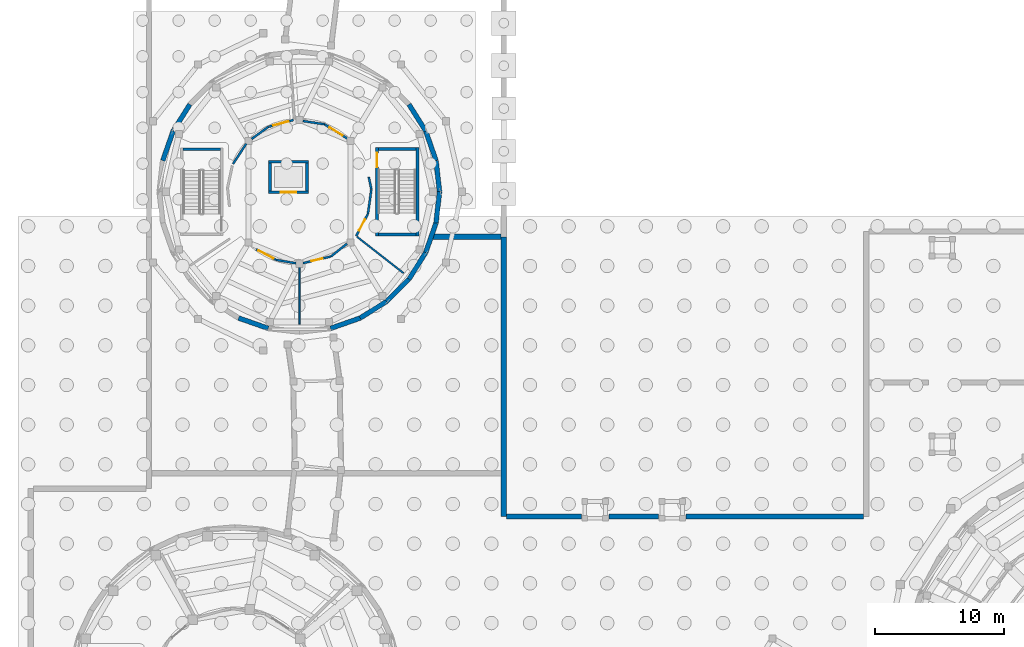
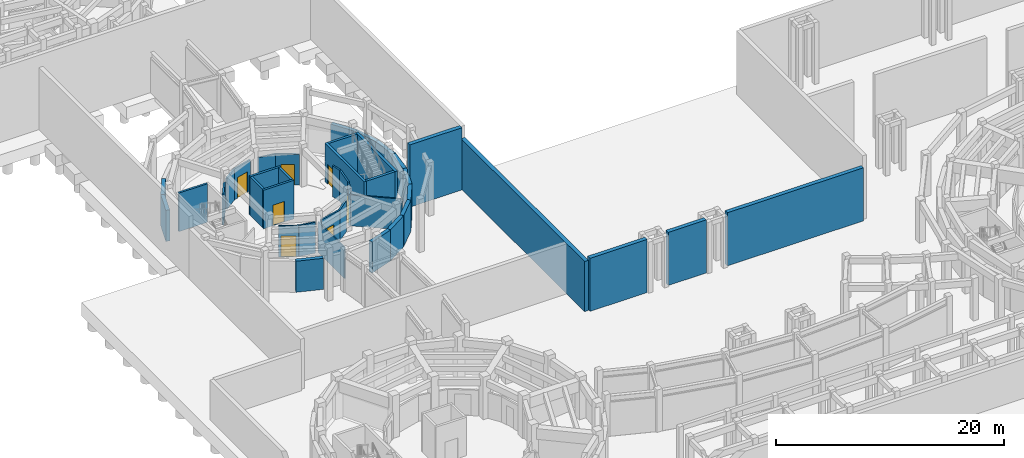
# One storey, part 38 of 57: 40 walls, 7 doors, 7 openings.
"""IFC4 building model written with IfcOpenShell, lengths in metres."""

from ifc_helpers import new_model, si_unit, direction, frame, frame_2d, origin, place, context, subcontext, project, spatial, rectangle, extrude, material, layer, layer_set, type_object, element, fill, save


model = new_model("IFC4")

# Units and contexts
model_context = context("Model", 3, precision=1e-05, world=origin(), true_north=direction((0.0, 1.0)))
body_context = subcontext(model_context, "Body", "Model", "MODEL_VIEW")
ifc_project = project(units=[si_unit("LENGTHUNIT", "METRE"), si_unit("AREAUNIT", "SQUARE_METRE"), si_unit("VOLUMEUNIT", "CUBIC_METRE"), si_unit("PLANEANGLEUNIT", "RADIAN"), si_unit("MASSUNIT", "GRAM", prefix="KILO")], contexts=[model_context])

# Site, building, storey
site_placement = place(None, origin())
site = spatial("IfcSite", under=ifc_project, at=site_placement, CompositionType="ELEMENT")
building_placement = place(site_placement, origin())
building = spatial("IfcBuilding", under=site, at=building_placement, Name="Aldenvaro Health Centre", CompositionType="ELEMENT")
storey_placement = place(building_placement, frame((0.0, 0.0, -4.550048828125)))
storey = spatial("IfcBuildingStorey", under=building, at=storey_placement, Name="B1", CompositionType="ELEMENT", Elevation=-4.550048828125)

# Wall, opening, door
ifc_material_1 = material(Name="Gypsum Stud Acoustic Assembly")
ifc_layer_1 = layer(ifc_material_1, 0.1650390625, Name="Gypsum Stud Acoustic Assembly")
ifc_layer_set_1 = layer_set([ifc_layer_1], Name="Gypsum Stud Acoustic Assembly")
wall_type_1 = type_object("IfcWallType", Name="WL-COR-165", PredefinedType="PARTITIONING", material=ifc_layer_set_1)
wall_1_placement = place(storey_placement, frame((27.238037109375, 61.6298828125, 0.0), z_axis=(0.0, 0.0, 1.0), x_axis=(-0.848030663633, 0.529947161081, 0.0)))
wall_1 = element("IfcWall", 1, at=wall_1_placement, inside=storey, type_object=wall_type_1, Name="D3 B1 corridor wall 01.1", PredefinedType="PARTITIONING", context=body_context, shape_type="SweptSolid", body=[
    extrude(rectangle(XDim=2.119140625, YDim=0.1650390625, at=frame_2d((1.0595703125, 0.0))), origin(), (0.0, 0.0, 1.0), 3.31005859375),
])
opening_1_placement = place(wall_1_placement, frame((0.468994140625, 0.0, 0.0)))
opening_1 = element("IfcOpeningElement", 2, at=opening_1_placement, cuts=wall_1, Name="Opening PD-01", PredefinedType="OPENING", context=body_context, shape_type="SweptSolid", body=[
    extrude(rectangle(XDim=1.179931640625, YDim=2.199951171875, at=frame_2d((0.58984375, 1.10009765625))), frame((0.0, 0.092529296875, 0.0), z_axis=(0.0, -1.0, 0.0), x_axis=(1.0, 0.0, 0.0)), (0.0, 0.0, 1.0), 0.18505859375),
])
ifc_material_2 = material(Name="Fire-Rated Louvred Plant Door")
door_type_1 = type_object("IfcDoorType", Name="DR-PLT-01", OperationType="NOTDEFINED", PredefinedType="DOOR", material=ifc_material_2)
door_1_placement = place(opening_1_placement, origin())
door_1 = element("IfcDoor", 3, at=door_1_placement, inside=storey, type_object=door_type_1, Name="Hydrotherapy Filtration and Heat Pump Plant Door", OperationType="SINGLE_SWING_RIGHT", OverallHeight=2.199951171875, OverallWidth=1.179931640625, PredefinedType="DOOR", context=body_context, shape_type="SweptSolid", body=[
    extrude(rectangle(XDim=1.179931640625, YDim=2.199951171875, at=frame_2d((0.58984375, 1.10009765625))), frame((0.0, 0.02490234375, 0.0), z_axis=(0.0, -1.0, 0.0), x_axis=(1.0, 0.0, 0.0)), (0.0, 0.0, 1.0), 0.050048828125),
])
fill(opening_1, door_1)

# Wall
wall_2_placement = place(storey_placement, frame((25.44091796875, 62.7529296875, 0.0), z_axis=(0.0, 0.0, 1.0), x_axis=(-0.988808298797, 0.149191649331, 0.0)))
element("IfcWall", 4, at=wall_2_placement, inside=storey, type_object=wall_type_1, Name="D3 B1 corridor wall 01.2", PredefinedType="PARTITIONING", context=body_context, shape_type="SweptSolid", body=[
    extrude(rectangle(XDim=1.697021484375, YDim=0.1650390625, at=frame_2d((0.8486328125, 0.0))), origin(), (0.0, 0.0, 1.0), 3.31005859375),
])

# Wall, opening, door
wall_3_placement = place(storey_placement, frame((23.027099609375, 63.080078125, 0.0), z_axis=(0.0, 0.0, 1.0), x_axis=(-0.964919932979, -0.262544325667, 0.0)))
wall_3 = element("IfcWall", 5, at=wall_3_placement, inside=storey, type_object=wall_type_1, Name="D3 B1 corridor wall 02.1", PredefinedType="PARTITIONING", context=body_context, shape_type="SweptSolid", body=[
    extrude(rectangle(XDim=2.018798828125, YDim=0.1650390625, at=frame_2d((1.00927734375, 0.0))), origin(), (0.0, 0.0, 1.0), 3.31005859375),
])
opening_2_placement = place(wall_3_placement, frame((0.388916015625, 0.0, 0.0)))
opening_2 = element("IfcOpeningElement", 6, at=opening_2_placement, cuts=wall_3, Name="Opening D-28", PredefinedType="OPENING", context=body_context, shape_type="SweptSolid", body=[
    extrude(rectangle(XDim=1.239990234375, YDim=2.219970703125, at=frame_2d((0.6201171875, 1.10986328125))), frame((0.0, 0.092529296875, 0.0), z_axis=(0.0, -1.0, 0.0), x_axis=(1.0, 0.0, 0.0)), (0.0, 0.0, 1.0), 0.18505859375),
])
ifc_material_3 = material(Name="Exam Suite Timber Door", Category="wood")
door_type_2 = type_object("IfcDoorType", Name="DR-CLN-28", OperationType="NOTDEFINED", PredefinedType="DOOR", material=ifc_material_3)
door_2_placement = place(opening_2_placement, origin())
door_2 = element("IfcDoor", 7, at=door_2_placement, inside=storey, type_object=door_type_2, Name="Rehabilitation Splint and Mobility Workshop Door", OperationType="SINGLE_SWING_LEFT", OverallHeight=2.219970703125, OverallWidth=1.239990234375, PredefinedType="DOOR", context=body_context, shape_type="SweptSolid", body=[
    extrude(rectangle(XDim=1.239990234375, YDim=2.219970703125, at=frame_2d((0.6201171875, 1.10986328125))), frame((0.0, 0.02490234375, 0.0), z_axis=(0.0, -1.0, 0.0), x_axis=(1.0, 0.0, 0.0)), (0.0, 0.0, 1.0), 0.050048828125),
])
fill(opening_2, door_2)

# Walls
wall_4_placement = place(storey_placement, frame((21.0791015625, 62.550048828125, 0.0), z_axis=(0.0, 0.0, 1.0), x_axis=(-0.808860869398, -0.588000079895, 0.0)))
element("IfcWall", 8, at=wall_4_placement, inside=storey, type_object=wall_type_1, Name="D3 B1 corridor wall 02.2", PredefinedType="PARTITIONING", context=body_context, shape_type="SweptSolid", body=[
    extrude(rectangle(XDim=1.607177734375, YDim=0.1650390625, at=frame_2d((0.8037109375, 0.0))), origin(), (0.0, 0.0, 1.0), 3.31005859375),
])
wall_5_placement = place(storey_placement, frame((19.365966796875, 61.240966796875, 0.0), z_axis=(0.0, 0.0, 1.0), x_axis=(-0.548365930053, -0.836238486771, 0.0)))
element("IfcWall", 9, at=wall_5_placement, inside=storey, type_object=wall_type_1, Name="D3 B1 corridor wall 02.3", PredefinedType="PARTITIONING", context=body_context, shape_type="SweptSolid", body=[
    extrude(rectangle(XDim=1.87255859375, YDim=0.1650390625, at=frame_2d((0.936279296875, 0.0))), origin(), (0.0, 0.0, 1.0), 3.31005859375),
])

# Wall, opening, door
wall_6_placement = place(storey_placement, frame((20.1259765625, 53.031005859375, 0.0), z_axis=(0.0, 0.0, 1.0), x_axis=(0.882916409472, -0.469530205508, 0.0)))
wall_6 = element("IfcWall", 10, at=wall_6_placement, inside=storey, type_object=wall_type_1, Name="D3 B1 corridor wall 04.1", PredefinedType="PARTITIONING", context=body_context, shape_type="SweptSolid", body=[
    extrude(rectangle(XDim=1.76123046875, YDim=0.1650390625, at=frame_2d((0.880615234375, 0.0))), origin(), (0.0, 0.0, 1.0), 3.31005859375),
])
opening_3_placement = place(wall_6_placement, frame((0.220947265625, 0.0, 0.0)))
opening_3 = element("IfcOpeningElement", 11, at=opening_3_placement, cuts=wall_6, Name="Opening PD-02", PredefinedType="OPENING", context=body_context, shape_type="SweptSolid", body=[
    extrude(rectangle(XDim=1.320068359375, YDim=2.239990234375, at=frame_2d((0.66015625, 1.1201171875))), frame((0.0, 0.092529296875, 0.0), z_axis=(0.0, -1.0, 0.0), x_axis=(1.0, 0.0, 0.0)), (0.0, 0.0, 1.0), 0.18505859375),
])
ifc_material_4 = material(Name="Double Leaf Plant Equipment Door")
door_type_3 = type_object("IfcDoorType", Name="DR-PLT-02", OperationType="NOTDEFINED", PredefinedType="DOOR", material=ifc_material_4)
door_3_placement = place(opening_3_placement, origin())
door_3 = element("IfcDoor", 12, at=door_3_placement, inside=storey, type_object=door_type_3, Name="Geothermal Manifold Room Door", OperationType="SINGLE_SWING_RIGHT", OverallHeight=2.239990234375, OverallWidth=1.320068359375, PredefinedType="DOOR", context=body_context, shape_type="SweptSolid", body=[
    extrude(rectangle(XDim=1.320068359375, YDim=2.239990234375, at=frame_2d((0.66015625, 1.1201171875))), frame((0.0, 0.02490234375, 0.0), z_axis=(0.0, -1.0, 0.0), x_axis=(1.0, 0.0, 0.0)), (0.0, 0.0, 1.0), 0.050048828125),
])
fill(opening_3, door_3)

# Wall
wall_7_placement = place(storey_placement, frame((21.680908203125, 52.2041015625, 0.0), z_axis=(0.0, 0.0, 1.0), x_axis=(0.985099289187, -0.171986599601, 0.0)))
element("IfcWall", 13, at=wall_7_placement, inside=storey, type_object=wall_type_1, Name="D3 B1 corridor wall 04.2", PredefinedType="PARTITIONING", context=body_context, shape_type="SweptSolid", body=[
    extrude(rectangle(XDim=1.564208984375, YDim=0.1650390625, at=frame_2d((0.7822265625, 0.0))), origin(), (0.0, 0.0, 1.0), 3.31005859375),
])

# Wall, opening, door
wall_8_placement = place(storey_placement, frame((23.77587890625, 51.947021484375, 0.0), z_axis=(0.0, 0.0, 1.0), x_axis=(0.972689167377, 0.232111575903, 0.0)))
wall_8 = element("IfcWall", 14, at=wall_8_placement, inside=storey, type_object=wall_type_1, Name="D3 B1 corridor wall 05.1", PredefinedType="PARTITIONING", context=body_context, shape_type="SweptSolid", body=[
    extrude(rectangle(XDim=2.240478515625, YDim=0.1650390625, at=frame_2d((1.1201171875, 0.0))), origin(), (0.0, 0.0, 1.0), 3.31005859375),
])
opening_4_placement = place(wall_8_placement, frame((0.679931640625, 0.0, 0.0)))
opening_4 = element("IfcOpeningElement", 15, at=opening_4_placement, cuts=wall_8, Name="Opening UD-01", PredefinedType="OPENING", context=body_context, shape_type="SweptSolid", body=[
    extrude(rectangle(XDim=0.8798828125, YDim=2.10009765625, at=frame_2d((0.43994140625, 1.050048828125))), frame((0.0, 0.092529296875, 0.0), z_axis=(0.0, -1.0, 0.0), x_axis=(1.0, 0.0, 0.0)), (0.0, 0.0, 1.0), 0.18505859375),
])
ifc_material_5 = material(Name="Clean Supply Store Door")
door_type_4 = type_object("IfcDoorType", Name="DR-STR-01", OperationType="NOTDEFINED", PredefinedType="DOOR", material=ifc_material_5)
door_4_placement = place(opening_4_placement, origin())
door_4 = element("IfcDoor", 16, at=door_4_placement, inside=storey, type_object=door_type_4, Name="Environmental Services Store Door", OperationType="SINGLE_SWING_LEFT", OverallHeight=2.10009765625, OverallWidth=0.8798828125, PredefinedType="DOOR", context=body_context, shape_type="SweptSolid", body=[
    extrude(rectangle(XDim=0.8798828125, YDim=2.10009765625, at=frame_2d((0.43994140625, 1.050048828125))), frame((0.0, 0.02490234375, 0.0), z_axis=(0.0, -1.0, 0.0), x_axis=(1.0, 0.0, 0.0)), (0.0, 0.0, 1.0), 0.050048828125),
])
fill(opening_4, door_4)

# Wall
wall_9_placement = place(storey_placement, frame((25.955078125, 52.467041015625, 0.0), z_axis=(0.0, 0.0, 1.0), x_axis=(0.781844808281, 0.623473091451, 0.0)))
element("IfcWall", 17, at=wall_9_placement, inside=storey, type_object=wall_type_1, Name="D3 B1 corridor wall 05.2", PredefinedType="PARTITIONING", context=body_context, shape_type="SweptSolid", body=[
    extrude(rectangle(XDim=1.584716796875, YDim=0.1650390625, at=frame_2d((0.79248046875, 0.0))), origin(), (0.0, 0.0, 1.0), 3.31005859375),
])

# Wall, opening, door
wall_10_placement = place(storey_placement, frame((27.91796875, 54.05810546875, 0.0), z_axis=(0.0, 0.0, 1.0), x_axis=(0.46852941816, 0.883447895644, 0.0)))
wall_10 = element("IfcWall", 18, at=wall_10_placement, inside=storey, type_object=wall_type_1, Name="D3 B1 corridor wall 06.1", PredefinedType="PARTITIONING", context=body_context, shape_type="SweptSolid", body=[
    extrude(rectangle(XDim=1.93994140625, YDim=0.1650390625, at=frame_2d((0.969970703125, 0.0))), origin(), (0.0, 0.0, 1.0), 3.31005859375),
])
opening_5_placement = place(wall_10_placement, frame((0.47998046875, 0.0, 0.0)))
opening_5 = element("IfcOpeningElement", 19, at=opening_5_placement, cuts=wall_10, Name="Opening WD-03", PredefinedType="OPENING", context=body_context, shape_type="SweptSolid", body=[
    extrude(rectangle(XDim=0.97998046875, YDim=2.10009765625, at=frame_2d((0.489990234375, 1.050048828125))), frame((0.0, 0.092529296875, 0.0), z_axis=(0.0, -1.0, 0.0), x_axis=(1.0, 0.0, 0.0)), (0.0, 0.0, 1.0), 0.18505859375),
])
ifc_material_6 = material(Name="Bariatric Accessible Sanitary Door")
door_type_5 = type_object("IfcDoorType", Name="DR-WC-03", OperationType="NOTDEFINED", PredefinedType="DOOR", material=ifc_material_6)
door_5_placement = place(opening_5_placement, origin())
door_5 = element("IfcDoor", 20, at=door_5_placement, inside=storey, type_object=door_type_5, Name="Staff Shower and WC Door", OperationType="SINGLE_SWING_RIGHT", OverallHeight=2.10009765625, OverallWidth=0.97998046875, PredefinedType="DOOR", context=body_context, shape_type="SweptSolid", body=[
    extrude(rectangle(XDim=0.97998046875, YDim=2.10009765625, at=frame_2d((0.489990234375, 1.050048828125))), frame((0.0, 0.02490234375, 0.0), z_axis=(0.0, -1.0, 0.0), x_axis=(1.0, 0.0, 0.0)), (0.0, 0.0, 1.0), 0.050048828125),
])
fill(opening_5, door_5)

# Walls
wall_11_placement = place(storey_placement, frame((28.826904296875, 55.77197265625, 0.0), z_axis=(0.0, 0.0, 1.0), x_axis=(0.139183488293, 0.990266608842, 0.0)))
element("IfcWall", 21, at=wall_11_placement, inside=storey, type_object=wall_type_1, Name="D3 B1 corridor wall 06.2", PredefinedType="PARTITIONING", context=body_context, shape_type="SweptSolid", body=[
    extrude(rectangle(XDim=1.93994140625, YDim=0.1650390625, at=frame_2d((0.969970703125, 0.0))), origin(), (0.0, 0.0, 1.0), 3.31005859375),
])
wall_12_placement = place(storey_placement, frame((29.096923828125, 57.693115234375, 0.0), z_axis=(0.0, 0.0, 1.0), x_axis=(-0.20743182321, 0.978249476729, 0.0)))
element("IfcWall", 22, at=wall_12_placement, inside=storey, type_object=wall_type_1, Name="D3 B1 corridor wall 06.3", PredefinedType="PARTITIONING", context=body_context, shape_type="SweptSolid", body=[
    extrude(rectangle(XDim=0.97802734375, YDim=0.1650390625, at=frame_2d((0.489013671875, 0.0))), origin(), (0.0, 0.0, 1.0), 3.31005859375),
])
ifc_material_7 = material(Name="Concrete f'c 40 MPa", Category="concrete")
ifc_layer_2 = layer(ifc_material_7, 0.3701171875, Name="Concrete f'c 40 MPa", Category="concrete")
ifc_layer_set_2 = layer_set([ifc_layer_2], Name="Concrete f'c 40 MPa")
wall_type_2 = type_object("IfcWallType", Name="WL-RET-370", PredefinedType="USERDEFINED", material=ifc_layer_set_2)
wall_13_placement = place(storey_placement, frame((34.39990234375, 57.5, 0.0), z_axis=(0.0, 0.0, 1.0), x_axis=(-0.111847873866, -0.993725340882, 0.0)))
element("IfcWall", 23, at=wall_13_placement, inside=storey, type_object=wall_type_2, Name="D3 B1 hillside retaining wall 01", ObjectType="RETAININGWALL", PredefinedType="USERDEFINED", context=body_context, shape_type="SweptSolid", body=[
    extrude(rectangle(XDim=2.4404296875, YDim=0.3701171875, at=frame_2d((1.22021484375, 0.0))), origin(), (0.0, 0.0, 1.0), 3.3349609375),
])
wall_14_placement = place(storey_placement, frame((34.126953125, 55.074951171875, 0.0), z_axis=(0.0, 0.0, 1.0), x_axis=(-0.330176659411, -0.943919156274, 0.0)))
element("IfcWall", 24, at=wall_14_placement, inside=storey, type_object=wall_type_2, Name="D3 B1 hillside retaining wall 02", ObjectType="RETAININGWALL", PredefinedType="USERDEFINED", context=body_context, shape_type="SweptSolid", body=[
    extrude(rectangle(XDim=2.44091796875, YDim=0.3701171875, at=frame_2d((1.220458984375, 0.0))), origin(), (0.0, 0.0, 1.0), 3.3349609375),
])
wall_15_placement = place(storey_placement, frame((33.321044921875, 52.77099609375, 0.0), z_axis=(0.0, 0.0, 1.0), x_axis=(-0.532136726684, -0.846658434148, 0.0)))
element("IfcWall", 25, at=wall_15_placement, inside=storey, type_object=wall_type_2, Name="D3 B1 hillside retaining wall 03", ObjectType="RETAININGWALL", PredefinedType="USERDEFINED", context=body_context, shape_type="SweptSolid", body=[
    extrude(rectangle(XDim=2.441162109375, YDim=0.3701171875, at=frame_2d((1.220703125, 0.0))), origin(), (0.0, 0.0, 1.0), 3.3349609375),
])
wall_16_placement = place(storey_placement, frame((32.02197265625, 50.7041015625, 0.0), z_axis=(0.0, 0.0, 1.0), x_axis=(-0.707106781187, -0.707106781187, 0.0)))
element("IfcWall", 26, at=wall_16_placement, inside=storey, type_object=wall_type_2, Name="D3 B1 hillside retaining wall 04", ObjectType="RETAININGWALL", PredefinedType="USERDEFINED", context=body_context, shape_type="SweptSolid", body=[
    extrude(rectangle(XDim=2.44091796875, YDim=0.3701171875, at=frame_2d((1.220458984375, 0.0))), origin(), (0.0, 0.0, 1.0), 3.3349609375),
])
wall_17_placement = place(storey_placement, frame((30.2958984375, 48.97802734375, 0.0), z_axis=(0.0, 0.0, 1.0), x_axis=(-0.846658434148, -0.532136726684, 0.0)))
element("IfcWall", 27, at=wall_17_placement, inside=storey, type_object=wall_type_2, Name="D3 B1 hillside retaining wall 05", ObjectType="RETAININGWALL", PredefinedType="USERDEFINED", context=body_context, shape_type="SweptSolid", body=[
    extrude(rectangle(XDim=2.441162109375, YDim=0.3701171875, at=frame_2d((1.220703125, 0.0))), origin(), (0.0, 0.0, 1.0), 3.3349609375),
])
for number, where, z_axis, x_axis, name in (
    (28, (28.22900390625, 47.678955078125, 0.0), (0.0, 0.0, 1.0), (-0.943919156274, -0.330176659411, 0.0), "D3 B1 hillside retaining wall 06"),
    (29, (21.074951171875, 46.873046875, 0.0), (0.0, 0.0, 1.0), (-0.943919156274, 0.330176659411, 0.0), "D3 B1 hillside retaining wall 09"),
    (30, (12.873046875, 59.925048828125, 0.0), (0.0, 0.0, 1.0), (0.330176659411, 0.943919156274, 0.0), "D3 B1 hillside retaining wall 16"),
):
    element("IfcWall", number, at=place(storey_placement, frame(where, z_axis=z_axis, x_axis=x_axis)), inside=storey, type_object=wall_type_2, Name=name, ObjectType="RETAININGWALL", PredefinedType="USERDEFINED", context=body_context, shape_type="SweptSolid", body=[
        extrude(rectangle(XDim=2.44091796875, YDim=0.3701171875, at=frame_2d((1.220458984375, 0.0))), origin(), (0.0, 0.0, 1.0), 3.3349609375),
    ])
for number, where, z_axis, x_axis, name in (
    (31, (13.678955078125, 62.22900390625, 0.0), (0.0, 0.0, 1.0), (0.532136726684, 0.846658434148, 0.0), "D3 B1 hillside retaining wall 17"),
    (32, (32.02197265625, 64.2958984375, 0.0), (0.0, 0.0, 1.0), (0.532136726684, -0.846658434148, 0.0), "D3 B1 hillside retaining wall 26"),
):
    element("IfcWall", number, at=place(storey_placement, frame(where, z_axis=z_axis, x_axis=x_axis)), inside=storey, type_object=wall_type_2, Name=name, ObjectType="RETAININGWALL", PredefinedType="USERDEFINED", context=body_context, shape_type="SweptSolid", body=[
        extrude(rectangle(XDim=2.441162109375, YDim=0.3701171875, at=frame_2d((1.220703125, 0.0))), origin(), (0.0, 0.0, 1.0), 3.3349609375),
    ])
wall_18_placement = place(storey_placement, frame((33.321044921875, 62.22900390625, 0.0), z_axis=(0.0, 0.0, 1.0), x_axis=(0.330176659411, -0.943919156274, 0.0)))
element("IfcWall", 33, at=wall_18_placement, inside=storey, type_object=wall_type_2, Name="D3 B1 hillside retaining wall 27", ObjectType="RETAININGWALL", PredefinedType="USERDEFINED", context=body_context, shape_type="SweptSolid", body=[
    extrude(rectangle(XDim=2.44091796875, YDim=0.3701171875, at=frame_2d((1.220458984375, 0.0))), origin(), (0.0, 0.0, 1.0), 3.3349609375),
])
wall_19_placement = place(storey_placement, frame((34.126953125, 59.925048828125, 0.0), z_axis=(0.0, 0.0, 1.0), x_axis=(0.111847873866, -0.993725340882, 0.0)))
element("IfcWall", 34, at=wall_19_placement, inside=storey, type_object=wall_type_2, Name="D3 B1 hillside retaining wall 28", ObjectType="RETAININGWALL", PredefinedType="USERDEFINED", context=body_context, shape_type="SweptSolid", body=[
    extrude(rectangle(XDim=2.4404296875, YDim=0.3701171875, at=frame_2d((1.22021484375, 0.0))), origin(), (0.0, 0.0, 1.0), 3.3349609375),
])
ifc_layer_3 = layer(ifc_material_7, 0.39990234375, Name="Concrete f'c 40 MPa", Category="concrete")
ifc_layer_set_3 = layer_set([ifc_layer_3], Name="Concrete f'c 40 MPa")
wall_type_3 = type_object("IfcWallType", Name="WL-RET-400", PredefinedType="USERDEFINED", material=ifc_layer_set_3)
wall_20_placement = place(storey_placement, frame((39.39990234375, 32.25, 0.0), z_axis=(0.0, 0.0, 1.0), x_axis=(0.0, 1.0, 0.0)))
element("IfcWall", 35, at=wall_20_placement, inside=storey, type_object=wall_type_3, Name="Stepped Foothill Retaining Wall T2F-IW-00", ObjectType="RETAININGWALL", PredefinedType="USERDEFINED", context=body_context, shape_type="SweptSolid", body=[
    extrude(rectangle(XDim=21.75, YDim=0.39990234375, at=frame_2d((10.875, 0.0))), origin(), (0.0, 0.0, 1.0), 5.380126953125),
])
wall_21_placement = place(storey_placement, frame((39.6240234375, 32.25, 0.0), z_axis=(0.0, 0.0, 1.0), x_axis=(1.0, 0.0, 0.0)))
element("IfcWall", 36, at=wall_21_placement, inside=storey, type_object=wall_type_3, Name="Stepped Foothill Retaining Wall T2G-RW-00", ObjectType="RETAININGWALL", PredefinedType="USERDEFINED", context=body_context, shape_type="SweptSolid", body=[
    extrude(rectangle(XDim=5.805908203125, YDim=0.39990234375, at=frame_2d((2.90283203125, 0.0))), origin(), (0.0, 0.0, 1.0), 5.699951171875),
])
wall_22_placement = place(storey_placement, frame((47.570068359375, 32.25, 0.0), z_axis=(0.0, 0.0, 1.0), x_axis=(1.0, 0.0, 0.0)))
element("IfcWall", 37, at=wall_22_placement, inside=storey, type_object=wall_type_3, Name="Stepped Foothill Retaining Wall T2G-RW-01", ObjectType="RETAININGWALL", PredefinedType="USERDEFINED", context=body_context, shape_type="SweptSolid", body=[
    extrude(rectangle(XDim=3.85986328125, YDim=0.39990234375, at=frame_2d((1.929931640625, 0.0))), origin(), (0.0, 0.0, 1.0), 5.699951171875),
])
wall_23_placement = place(storey_placement, frame((53.570068359375, 32.25, 0.0), z_axis=(0.0, 0.0, 1.0), x_axis=(1.0, 0.0, 0.0)))
element("IfcWall", 38, at=wall_23_placement, inside=storey, type_object=wall_type_3, Name="Stepped Foothill Retaining Wall T2G-RW-02", ObjectType="RETAININGWALL", PredefinedType="USERDEFINED", context=body_context, shape_type="SweptSolid", body=[
    extrude(rectangle(XDim=13.805908203125, YDim=0.39990234375, at=frame_2d((6.90283203125, 0.0))), origin(), (0.0, 0.0, 1.0), 5.699951171875),
])
wall_24_placement = place(storey_placement, frame((33.906005859375, 54.0, 0.0), z_axis=(0.0, 0.0, 1.0), x_axis=(1.0, 0.0, 0.0)))
element("IfcWall", 39, at=wall_24_placement, inside=storey, type_object=wall_type_3, Name="Stepped Foothill Retaining Wall T3F-RW-01", ObjectType="RETAININGWALL", PredefinedType="USERDEFINED", context=body_context, shape_type="SweptSolid", body=[
    extrude(rectangle(XDim=5.27001953125, YDim=0.39990234375, at=frame_2d((2.635009765625, 0.0))), origin(), (0.0, 0.0, 1.0), 6.679931640625),
])
ifc_layer_4 = layer(ifc_material_7, 0.199951171875, Name="Concrete f'c 40 MPa", Category="concrete")
ifc_layer_set_4 = layer_set([ifc_layer_4], Name="Concrete f'c 40 MPa")
wall_type_4 = type_object("IfcWallType", Name="WL-SHAFT-200", PredefinedType="SHEAR", material=ifc_layer_set_4)
wall_25_placement = place(storey_placement, frame((17.35009765625, 60.800048828125, 0.0), z_axis=(0.0, 0.0, 1.0), x_axis=(-1.0, 0.0, 0.0)))
element("IfcWall", 40, at=wall_25_placement, inside=storey, type_object=wall_type_4, Name="ST-06 B1 side core wall R", PredefinedType="SHEAR", context=body_context, shape_type="SweptSolid", body=[
    extrude(rectangle(XDim=2.900146484375, YDim=0.199951171875, at=frame_2d((1.4501953125, 0.0))), origin(), (0.0, 0.0, 1.0), 4.135009765625),
])

# Wall, opening, door
ifc_layer_5 = layer(ifc_material_7, 0.22509765625, Name="Concrete f'c 40 MPa", Category="concrete")
ifc_layer_set_5 = layer_set([ifc_layer_5], Name="Concrete f'c 40 MPa")
wall_type_5 = type_object("IfcWallType", Name="WL-SHAFT-225", PredefinedType="SHEAR", material=ifc_layer_set_5)
wall_26_placement = place(storey_placement, frame((21.10009765625, 57.4619140625, 0.0), z_axis=(0.0, 0.0, 1.0), x_axis=(1.0, 0.0, 0.0)))
wall_26 = element("IfcWall", 41, at=wall_26_placement, inside=storey, type_object=wall_type_5, Name="LF-03 B1 lift shaft front wall", PredefinedType="SHEAR", context=body_context, shape_type="SweptSolid", body=[
    extrude(rectangle(XDim=3.099853515625, YDim=0.22509765625, at=frame_2d((1.5498046875, 0.0))), origin(), (0.0, 0.0, 1.0), 4.135009765625),
])
opening_6_placement = place(wall_26_placement, frame((0.949951171875, 0.0, 0.0)))
opening_6 = element("IfcOpeningElement", 42, at=opening_6_placement, cuts=wall_26, Name="Opening LD-01", PredefinedType="OPENING", context=body_context, shape_type="SweptSolid", body=[
    extrude(rectangle(XDim=1.199951171875, YDim=2.199951171875, at=frame_2d((0.60009765625, 1.10009765625))), frame((0.0, 0.12255859375, 0.0), z_axis=(0.0, -1.0, 0.0), x_axis=(1.0, 0.0, 0.0)), (0.0, 0.0, 1.0), 0.2451171875),
])
ifc_material_8 = material(Name="Stainless Steel Lift Landing Door", Category="steel")
door_type_6 = type_object("IfcDoorType", Name="DR-LIFT-120", OperationType="DOUBLE_DOOR_SLIDING", PredefinedType="DOOR", material=ifc_material_8)
door_6_placement = place(opening_6_placement, origin())
door_6 = element("IfcDoor", 43, at=door_6_placement, inside=storey, type_object=door_type_6, Name="Lift LF-03 B1 Sliding Landing Door", OperationType="DOUBLE_DOOR_SLIDING", OverallHeight=2.199951171875, OverallWidth=1.199951171875, PredefinedType="DOOR", context=body_context, shape_type="SweptSolid", body=[
    extrude(rectangle(XDim=1.199951171875, YDim=2.199951171875, at=frame_2d((0.60009765625, 1.10009765625))), frame((0.0, 0.02490234375, 0.0), z_axis=(0.0, -1.0, 0.0), x_axis=(1.0, 0.0, 0.0)), (0.0, 0.0, 1.0), 0.050048828125),
])
fill(opening_6, door_6)

# Walls
wall_27_placement = place(storey_placement, frame((21.10009765625, 59.8369140625, 0.0), z_axis=(0.0, 0.0, 1.0), x_axis=(1.0, 0.0, 0.0)))
element("IfcWall", 44, at=wall_27_placement, inside=storey, type_object=wall_type_5, Name="LF-03 B1 lift shaft rear wall", PredefinedType="SHEAR", context=body_context, shape_type="SweptSolid", body=[
    extrude(rectangle(XDim=3.099853515625, YDim=0.22509765625, at=frame_2d((1.5498046875, 0.0))), origin(), (0.0, 0.0, 1.0), 4.135009765625),
])
for number, where, z_axis, x_axis, name in (
    (45, (21.2119140625, 57.574951171875, 0.0), (0.0, 0.0, 1.0), (0.0, 1.0, 0.0), "LF-03 B1 lift shaft side wall L"),
    (46, (24.0869140625, 57.574951171875, 0.0), (0.0, 0.0, 1.0), (0.0, 1.0, 0.0), "LF-03 B1 lift shaft side wall R"),
):
    element("IfcWall", number, at=place(storey_placement, frame(where, z_axis=z_axis, x_axis=x_axis)), inside=storey, type_object=wall_type_5, Name=name, PredefinedType="SHEAR", context=body_context, shape_type="SweptSolid", body=[
        extrude(rectangle(XDim=2.150146484375, YDim=0.22509765625, at=frame_2d((1.0751953125, 0.0))), origin(), (0.0, 0.0, 1.0), 4.135009765625),
    ])

# Wall, opening, door
ifc_layer_6 = layer(ifc_material_7, 0.25, Name="Concrete f'c 40 MPa", Category="concrete")
ifc_layer_set_6 = layer_set([ifc_layer_6], Name="Concrete f'c 40 MPa")
wall_type_6 = type_object("IfcWallType", Name="WL-SHAFT-250", PredefinedType="SHEAR", material=ifc_layer_set_6)
wall_28_placement = place(storey_placement, frame((29.52490234375, 60.949951171875, 0.0), z_axis=(0.0, 0.0, 1.0), x_axis=(0.0, -1.0, 0.0)))
wall_28 = element("IfcWall", 47, at=wall_28_placement, inside=storey, type_object=wall_type_6, Name="ST-05 B1 inner core wall", PredefinedType="SHEAR", context=body_context, shape_type="SweptSolid", body=[
    extrude(rectangle(XDim=6.89990234375, YDim=0.25, at=frame_2d((3.449951171875, 0.0))), origin(), (0.0, 0.0, 1.0), 4.135009765625),
])
opening_7_placement = place(wall_28_placement, frame((0.429931640625, 0.0, 0.0)))
opening_7 = element("IfcOpeningElement", 48, at=opening_7_placement, cuts=wall_28, Name="Opening FD-01", PredefinedType="OPENING", context=body_context, shape_type="SweptSolid", body=[
    extrude(rectangle(XDim=1.10009765625, YDim=2.14990234375, at=frame_2d((0.550048828125, 1.074951171875))), frame((0.0, 0.135009765625, 0.0), z_axis=(0.0, -1.0, 0.0), x_axis=(1.0, 0.0, 0.0)), (0.0, 0.0, 1.0), 0.27001953125),
])
ifc_material_9 = material(Name="Fire-Rated Steel Door Assembly", Category="steel")
door_type_7 = type_object("IfcDoorType", Name="DR-STAIR-110", OperationType="NOTDEFINED", PredefinedType="DOOR", material=ifc_material_9)
door_7_placement = place(opening_7_placement, origin())
door_7 = element("IfcDoor", 49, at=door_7_placement, inside=storey, type_object=door_type_7, Name="ST-05 B1 fire stair door", OperationType="SINGLE_SWING_LEFT", OverallHeight=2.14990234375, OverallWidth=1.10009765625, PredefinedType="DOOR", context=body_context, shape_type="SweptSolid", body=[
    extrude(rectangle(XDim=1.10009765625, YDim=2.14990234375, at=frame_2d((0.550048828125, 1.074951171875))), frame((0.0, 0.02490234375, 0.0), z_axis=(0.0, -1.0, 0.0), x_axis=(1.0, 0.0, 0.0)), (0.0, 0.0, 1.0), 0.050048828125),
])
fill(opening_7, door_7)

# Walls
wall_29_placement = place(storey_placement, frame((32.675048828125, 60.949951171875, 0.0), z_axis=(0.0, 0.0, 1.0), x_axis=(0.0, -1.0, 0.0)))
element("IfcWall", 50, at=wall_29_placement, inside=storey, type_object=wall_type_6, Name="ST-05 B1 far core wall", PredefinedType="SHEAR", context=body_context, shape_type="SweptSolid", body=[
    extrude(rectangle(XDim=6.89990234375, YDim=0.25, at=frame_2d((3.449951171875, 0.0))), origin(), (0.0, 0.0, 1.0), 4.135009765625),
])
for number, where, z_axis, x_axis, name in (
    (51, (29.64990234375, 60.824951171875, 0.0), (0.0, 0.0, 1.0), (1.0, 0.0, 0.0), "ST-05 B1 side core wall L"),
    (52, (29.64990234375, 54.175048828125, 0.0), (0.0, 0.0, 1.0), (1.0, 0.0, 0.0), "ST-05 B1 side core wall R"),
):
    element("IfcWall", number, at=place(storey_placement, frame(where, z_axis=z_axis, x_axis=x_axis)), inside=storey, type_object=wall_type_6, Name=name, PredefinedType="SHEAR", context=body_context, shape_type="SweptSolid", body=[
        extrude(rectangle(XDim=2.900146484375, YDim=0.25, at=frame_2d((1.4501953125, 0.0))), origin(), (0.0, 0.0, 1.0), 4.135009765625),
    ])
ifc_material_10 = material(Name="Light Gauge Steel Stud Partition", Category="steel")
ifc_layer_7 = layer(ifc_material_10, 0.114990234375, Name="Light Gauge Steel Stud Partition", Category="steel")
ifc_layer_set_7 = layer_set([ifc_layer_7], Name="Light Gauge Steel Stud Partition")
wall_type_7 = type_object("IfcWallType", Name="WL-SUB-115", PredefinedType="PARTITIONING", material=ifc_layer_set_7)
wall_30_placement = place(storey_placement, frame((23.5, 51.81689453125, 0.0), z_axis=(0.0, 0.0, 1.0), x_axis=(0.0, -1.0, 0.0)))
element("IfcWall", 53, at=wall_30_placement, inside=storey, type_object=wall_type_7, Name="D3 B1 clinical partition 5.1", PredefinedType="PARTITIONING", context=body_context, shape_type="SweptSolid", body=[
    extrude(rectangle(XDim=4.614990234375, YDim=0.114990234375, at=frame_2d((2.3076171875, 0.0))), origin(), (0.0, 0.0, 1.0), 3.31005859375),
])
ifc_material_11 = material(Name="Moisture-Resistant Plumbing Stud Wall")
ifc_layer_8 = layer(ifc_material_11, 0.135009765625, Name="Moisture-Resistant Plumbing Stud Wall")
ifc_layer_set_8 = layer_set([ifc_layer_8], Name="Moisture-Resistant Plumbing Stud Wall")
wall_type_8 = type_object("IfcWallType", Name="WL-WET-135", PredefinedType="PLUMBINGWALL", material=ifc_layer_set_8)
wall_31_placement = place(storey_placement, frame((27.97802734375, 54.0009765625, 0.0), z_axis=(0.0, 0.0, 1.0), x_axis=(0.788037233831, -0.615627580681, 0.0)))
element("IfcWall", 54, at=wall_31_placement, inside=storey, type_object=wall_type_8, Name="D3 B1 clinical partition 6.1", PredefinedType="PLUMBINGWALL", context=body_context, shape_type="SweptSolid", body=[
    extrude(rectangle(XDim=4.60498046875, YDim=0.135009765625, at=frame_2d((2.302490234375, 0.0))), origin(), (0.0, 0.0, 1.0), 3.31005859375),
])

save(model, "model.ifc")
